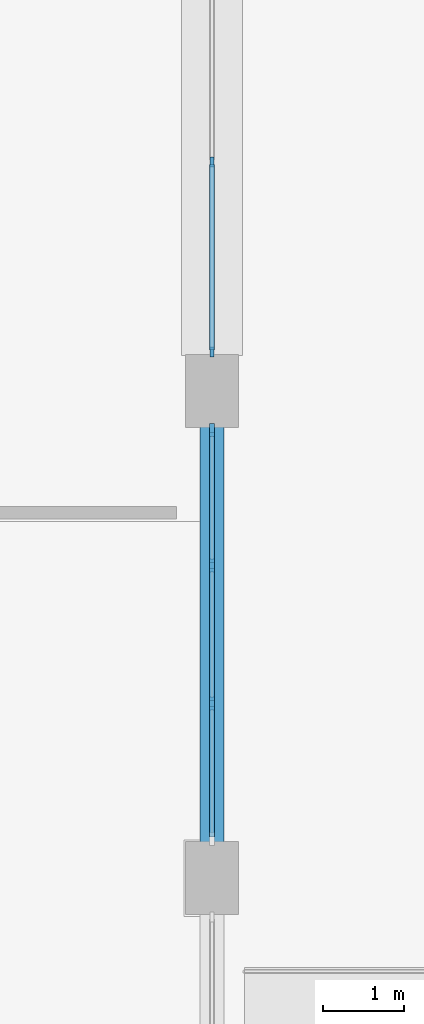
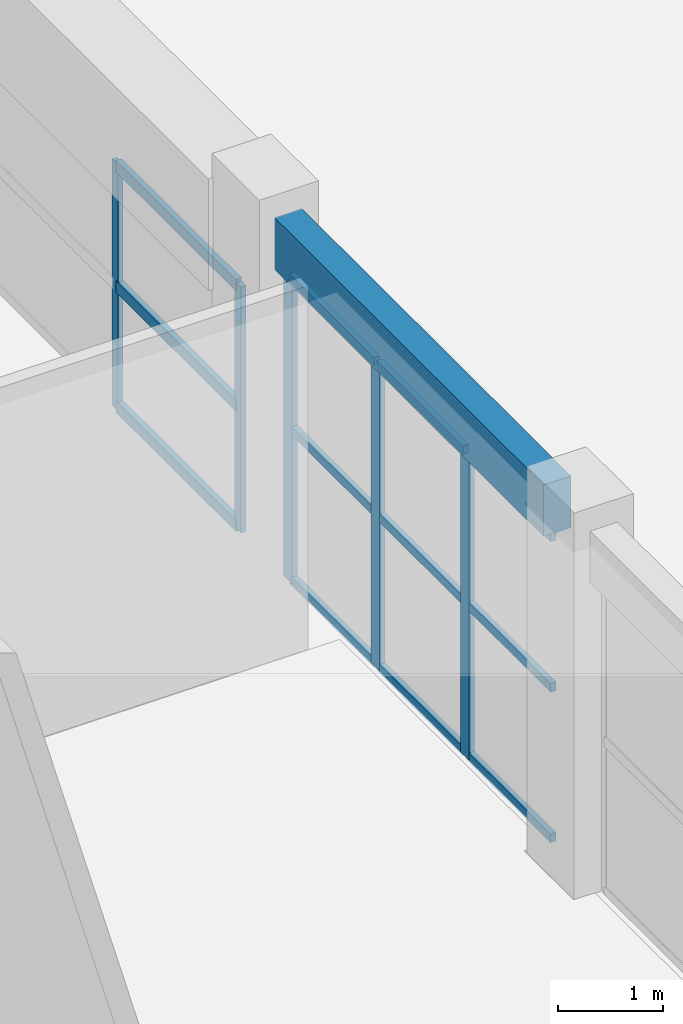
# One storey, part 20 of 76: 17 members, 1 beam, 2 elements without a shape of their own.
"""IFC4 building model written with IfcOpenShell, lengths in metres."""

from ifc_helpers import new_model, si_unit, direction, frame, origin, origin_2d, place, context, subcontext, project, spatial, rectangle, extrude, material, layer, layer_set, material_profile, profile_set, type_object, element, aggregate, save


model = new_model("IFC4")

# Units and contexts
model_context = context("Model", 3, precision=1e-05, world=origin(), true_north=direction((0.0, 1.0)))
body_context = subcontext(model_context, "Body", "Model", "MODEL_VIEW")
ifc_project = project(units=[si_unit("LENGTHUNIT", "METRE"), si_unit("AREAUNIT", "SQUARE_METRE"), si_unit("VOLUMEUNIT", "CUBIC_METRE"), si_unit("PLANEANGLEUNIT", "RADIAN"), si_unit("MASSUNIT", "GRAM", prefix="KILO"), si_unit("POWERUNIT", "WATT"), si_unit("THERMODYNAMICTEMPERATUREUNIT", "KELVIN")], contexts=[model_context])

# Site, building, storey
site_placement = place(None, origin())
site = spatial("IfcSite", under=ifc_project, at=site_placement, CompositionType="ELEMENT")
building_placement = place(site_placement, origin())
building = spatial("IfcBuilding", under=site, at=building_placement, Name="Ruvembo Vaulted Housing Court", CompositionType="ELEMENT")
storey_placement = place(building_placement, origin())
storey = spatial("IfcBuildingStorey", under=building, at=storey_placement, Name="L00", CompositionType="ELEMENT", Elevation=0.0)

# Beam
ifc_material_1 = material(Name="Concrete C35/45", Category="concrete")
ifc_material_profile_1 = material_profile(ifc_material_1, rectangle(XDim=0.300048828125, YDim=0.60009765625, at=origin_2d()), Name="RC 300x600")
ifc_profile_set_1 = profile_set([ifc_material_profile_1], Name="Concrete C35/45")
beam_type = type_object("IfcBeamType", Name="BM-RC-300x600", PredefinedType="BEAM", material=ifc_profile_set_1)
beam_placement = place(storey_placement, frame((108.0, 54.43505859375, 3.929931640625), z_axis=(0.0, 1.0, 0.0), x_axis=(-1.0, 0.0, 0.0)))
element("IfcBeam", 1, at=beam_placement, inside=storey, type_object=beam_type, Name="L00 Grid Beam Y #1047", PredefinedType="BEAM", context=body_context, shape_type="SweptSolid", body=[
    extrude(rectangle(XDim=0.300048828125, YDim=0.60009765625, at=origin_2d()), origin(), (0.0, 0.0, 1.0), 5.1298828125),
])

# Curtain wall, members
ifc_material_2 = material(Name="Anodised Aluminium and Solar-Control Glass", Category="aluminium")
ifc_layer = layer(ifc_material_2, 0.179931640625, Name="Anodised Aluminium and Solar-Control Glass")
ifc_layer_set = layer_set([ifc_layer], Name="Anodised Aluminium and Solar-Control Glass")
curtain_wall_type = type_object("IfcCurtainWallType", Name="CW-HALL-TYMP", PredefinedType="NOTDEFINED", material=ifc_layer_set)
curtain_wall_1_placement = place(storey_placement, origin())
curtain_wall_1 = element("IfcCurtainWall", 2, at=curtain_wall_1_placement, inside=storey, type_object=curtain_wall_type, Name="L00 Curtain Wall CW-L00-0127", PredefinedType="NOTDEFINED")
ifc_material_3 = material(Name="Anodised Aluminium 6063-T6", Category="aluminium")
ifc_material_profile_2 = material_profile(ifc_material_3, rectangle(XDim=0.054931640625, YDim=0.1201171875, at=origin_2d()), Name="ALU 55x120")
ifc_profile_set_2 = profile_set([ifc_material_profile_2], Name="Anodised Aluminium 6063-T6")
member_type_1 = type_object("IfcMemberType", Name="CW-MUL-55x120", PredefinedType="MULLION", material=ifc_profile_set_2)
member_1_placement = place(storey_placement, frame((108.0, 60.4775390625, 0.0), z_axis=(0.0, 0.0, 1.0), x_axis=(-1.0, 0.0, 0.0)))
member_1 = element("IfcMember", 3, at=member_1_placement, type_object=member_type_1, Name="CW2 mullion 1", PredefinedType="MULLION", context=body_context, shape_type="SweptSolid", body=[
    extrude(rectangle(XDim=0.054931640625, YDim=0.1201171875, at=origin_2d()), origin(), (0.0, 0.0, 1.0), 2.862060546875),
])
member_2_placement = place(storey_placement, frame((108.0, 62.816650390625, 0.0), z_axis=(0.0, 0.0, 1.0), x_axis=(-1.0, 0.0, 0.0)))
member_2 = element("IfcMember", 4, at=member_2_placement, type_object=member_type_1, Name="CW2 mullion 2", PredefinedType="MULLION", context=body_context, shape_type="SweptSolid", body=[
    extrude(rectangle(XDim=0.054931640625, YDim=0.1201171875, at=origin_2d()), origin(), (0.0, 0.0, 1.0), 2.862060546875),
])

curtain_wall_2_placement = place(storey_placement, origin())
curtain_wall_2 = element("IfcCurtainWall", 5, at=curtain_wall_2_placement, inside=storey, type_object=curtain_wall_type, Name="L00 Curtain Wall CW-L00-0125", PredefinedType="NOTDEFINED")
ifc_material_profile_3 = material_profile(ifc_material_3, rectangle(XDim=0.06005859375, YDim=0.159912109375, at=origin_2d()), Name="ALU 60x160")
ifc_profile_set_3 = profile_set([ifc_material_profile_3], Name="Anodised Aluminium 6063-T6")
member_type_2 = type_object("IfcMemberType", Name="CW-MULLION-65x150", PredefinedType="MULLION", material=ifc_profile_set_3)
member_3_placement = place(storey_placement, frame((108.0, 56.14990234375, 0.0), z_axis=(0.0, 0.0, 1.0), x_axis=(-1.0, 0.0, 0.0)))
member_3 = element("IfcMember", 6, at=member_3_placement, type_object=member_type_2, Name="CW2 mullion 2", PredefinedType="MULLION", context=body_context, shape_type="SweptSolid", body=[
    extrude(rectangle(XDim=0.06005859375, YDim=0.159912109375, at=origin_2d()), origin(), (0.0, 0.0, 1.0), 3.56201171875),
])
member_4_placement = place(storey_placement, frame((108.0, 57.85009765625, 0.0), z_axis=(0.0, 0.0, 1.0), x_axis=(-1.0, 0.0, 0.0)))
member_4 = element("IfcMember", 7, at=member_4_placement, type_object=member_type_2, Name="CW2 mullion 3", PredefinedType="MULLION", context=body_context, shape_type="SweptSolid", body=[
    extrude(rectangle(XDim=0.06005859375, YDim=0.159912109375, at=origin_2d()), origin(), (0.0, 0.0, 1.0), 3.56201171875),
])
member_5_placement = place(storey_placement, frame((108.0, 59.52001953125, 0.0), z_axis=(0.0, 0.0, 1.0), x_axis=(-1.0, 0.0, 0.0)))
member_5 = element("IfcMember", 8, at=member_5_placement, type_object=member_type_2, Name="CW2 mullion 4", PredefinedType="MULLION", context=body_context, shape_type="SweptSolid", body=[
    extrude(rectangle(XDim=0.06005859375, YDim=0.159912109375, at=origin_2d()), origin(), (0.0, 0.0, 1.0), 3.56201171875),
])
ifc_material_profile_4 = material_profile(ifc_material_3, rectangle(XDim=0.06005859375, YDim=0.10009765625, at=origin_2d()), Name="ALU 60x100")
ifc_profile_set_4 = profile_set([ifc_material_profile_4], Name="Anodised Aluminium 6063-T6")
member_type_3 = type_object("IfcMemberType", Name="CW-TRN-60x100", PredefinedType="USERDEFINED", material=ifc_profile_set_4)
member_6_placement = place(storey_placement, frame((108.0, 54.510009765625, 0.030029296875), z_axis=(0.0, 1.0, 0.0), x_axis=(-1.0, 0.0, 0.0)))
member_6 = element("IfcMember", 9, at=member_6_placement, type_object=member_type_3, Name="CW2 transom 1.1", ObjectType="TRANSOM", PredefinedType="USERDEFINED", context=body_context, shape_type="SweptSolid", body=[
    extrude(rectangle(XDim=0.06005859375, YDim=0.10009765625, at=origin_2d()), origin(), (0.0, 0.0, 1.0), 1.610107421875),
])
member_7_placement = place(storey_placement, frame((108.0, 54.510009765625, 1.781005859375), z_axis=(0.0, 1.0, 0.0), x_axis=(-1.0, 0.0, 0.0)))
member_7 = element("IfcMember", 10, at=member_7_placement, type_object=member_type_3, Name="CW2 transom 1.2", ObjectType="TRANSOM", PredefinedType="USERDEFINED", context=body_context, shape_type="SweptSolid", body=[
    extrude(rectangle(XDim=0.06005859375, YDim=0.10009765625, at=origin_2d()), origin(), (0.0, 0.0, 1.0), 1.610107421875),
])
member_8_placement = place(storey_placement, frame((108.0, 54.510009765625, 3.531982421875), z_axis=(0.0, 1.0, 0.0), x_axis=(-1.0, 0.0, 0.0)))
member_8 = element("IfcMember", 11, at=member_8_placement, type_object=member_type_3, Name="CW2 transom 1.3", ObjectType="TRANSOM", PredefinedType="USERDEFINED", context=body_context, shape_type="SweptSolid", body=[
    extrude(rectangle(XDim=0.06005859375, YDim=0.10009765625, at=origin_2d()), origin(), (0.0, 0.0, 1.0), 1.610107421875),
])
member_9_placement = place(storey_placement, frame((108.0, 56.179931640625, 0.030029296875), z_axis=(0.0, 1.0, 0.0), x_axis=(-1.0, 0.0, 0.0)))
member_9 = element("IfcMember", 12, at=member_9_placement, type_object=member_type_3, Name="CW2 transom 2.1", ObjectType="TRANSOM", PredefinedType="USERDEFINED", context=body_context, shape_type="SweptSolid", body=[
    extrude(rectangle(XDim=0.06005859375, YDim=0.10009765625, at=origin_2d()), origin(), (0.0, 0.0, 1.0), 1.64013671875),
])
member_10_placement = place(storey_placement, frame((108.0, 56.179931640625, 1.781005859375), z_axis=(0.0, 1.0, 0.0), x_axis=(-1.0, 0.0, 0.0)))
member_10 = element("IfcMember", 13, at=member_10_placement, type_object=member_type_3, Name="CW2 transom 2.2", ObjectType="TRANSOM", PredefinedType="USERDEFINED", context=body_context, shape_type="SweptSolid", body=[
    extrude(rectangle(XDim=0.06005859375, YDim=0.10009765625, at=origin_2d()), origin(), (0.0, 0.0, 1.0), 1.64013671875),
])
member_11_placement = place(storey_placement, frame((108.0, 56.179931640625, 3.531982421875), z_axis=(0.0, 1.0, 0.0), x_axis=(-1.0, 0.0, 0.0)))
member_11 = element("IfcMember", 14, at=member_11_placement, type_object=member_type_3, Name="CW2 transom 2.3", ObjectType="TRANSOM", PredefinedType="USERDEFINED", context=body_context, shape_type="SweptSolid", body=[
    extrude(rectangle(XDim=0.06005859375, YDim=0.10009765625, at=origin_2d()), origin(), (0.0, 0.0, 1.0), 1.64013671875),
])
member_12_placement = place(storey_placement, frame((108.0, 57.8798828125, 0.030029296875), z_axis=(0.0, 1.0, 0.0), x_axis=(-1.0, 0.0, 0.0)))
member_12 = element("IfcMember", 15, at=member_12_placement, type_object=member_type_3, Name="CW2 transom 3.1", ObjectType="TRANSOM", PredefinedType="USERDEFINED", context=body_context, shape_type="SweptSolid", body=[
    extrude(rectangle(XDim=0.06005859375, YDim=0.10009765625, at=origin_2d()), origin(), (0.0, 0.0, 1.0), 1.610107421875),
])
member_13_placement = place(storey_placement, frame((108.0, 57.8798828125, 1.781005859375), z_axis=(0.0, 1.0, 0.0), x_axis=(-1.0, 0.0, 0.0)))
member_13 = element("IfcMember", 16, at=member_13_placement, type_object=member_type_3, Name="CW2 transom 3.2", ObjectType="TRANSOM", PredefinedType="USERDEFINED", context=body_context, shape_type="SweptSolid", body=[
    extrude(rectangle(XDim=0.06005859375, YDim=0.10009765625, at=origin_2d()), origin(), (0.0, 0.0, 1.0), 1.610107421875),
])
member_14_placement = place(storey_placement, frame((108.0, 57.8798828125, 3.531982421875), z_axis=(0.0, 1.0, 0.0), x_axis=(-1.0, 0.0, 0.0)))
member_14 = element("IfcMember", 17, at=member_14_placement, type_object=member_type_3, Name="CW2 transom 3.3", ObjectType="TRANSOM", PredefinedType="USERDEFINED", context=body_context, shape_type="SweptSolid", body=[
    extrude(rectangle(XDim=0.06005859375, YDim=0.10009765625, at=origin_2d()), origin(), (0.0, 0.0, 1.0), 1.610107421875),
])
aggregate(curtain_wall_2, [member_3, member_4, member_5, member_6, member_7, member_8, member_9, member_10, member_11, member_12, member_13, member_14])

# Member
ifc_material_profile_5 = material_profile(ifc_material_3, rectangle(XDim=0.06494140625, YDim=0.135009765625, at=origin_2d()), Name="ALU 65x135")
ifc_profile_set_5 = profile_set([ifc_material_profile_5], Name="Anodised Aluminium 6063-T6")
member_type_4 = type_object("IfcMemberType", Name="CW-TRN-65x135", PredefinedType="USERDEFINED", material=ifc_profile_set_5)
member_15_placement = place(storey_placement, frame((108.0, 60.5048828125, 0.032470703125), z_axis=(0.0, 1.0, 0.0), x_axis=(-1.0, 0.0, 0.0)))
member_15 = element("IfcMember", 18, at=member_15_placement, type_object=member_type_4, Name="CW2 transom 1.1", ObjectType="TRANSOM", PredefinedType="USERDEFINED", context=body_context, shape_type="SweptSolid", body=[
    extrude(rectangle(XDim=0.06494140625, YDim=0.135009765625, at=origin_2d()), origin(), (0.0, 0.0, 1.0), 2.2841796875),
])

member_16_placement = place(storey_placement, frame((108.0, 60.5048828125, 1.430908203125), z_axis=(0.0, 1.0, 0.0), x_axis=(-1.0, 0.0, 0.0)))
member_16 = element("IfcMember", 19, at=member_16_placement, type_object=member_type_4, Name="CW2 transom 1.2", ObjectType="TRANSOM", PredefinedType="USERDEFINED", context=body_context, shape_type="SweptSolid", body=[
    extrude(rectangle(XDim=0.06494140625, YDim=0.135009765625, at=origin_2d()), origin(), (0.0, 0.0, 1.0), 2.2841796875),
])

member_17_placement = place(storey_placement, frame((108.0, 60.5048828125, 2.82958984375), z_axis=(0.0, 1.0, 0.0), x_axis=(-1.0, 0.0, 0.0)))
member_17 = element("IfcMember", 20, at=member_17_placement, type_object=member_type_4, Name="CW2 transom 1.3", ObjectType="TRANSOM", PredefinedType="USERDEFINED", context=body_context, shape_type="SweptSolid", body=[
    extrude(rectangle(XDim=0.06494140625, YDim=0.135009765625, at=origin_2d()), origin(), (0.0, 0.0, 1.0), 2.2841796875),
])

aggregate(curtain_wall_1, [member_1, member_2, member_15, member_16, member_17])

save(model, "model.ifc")
